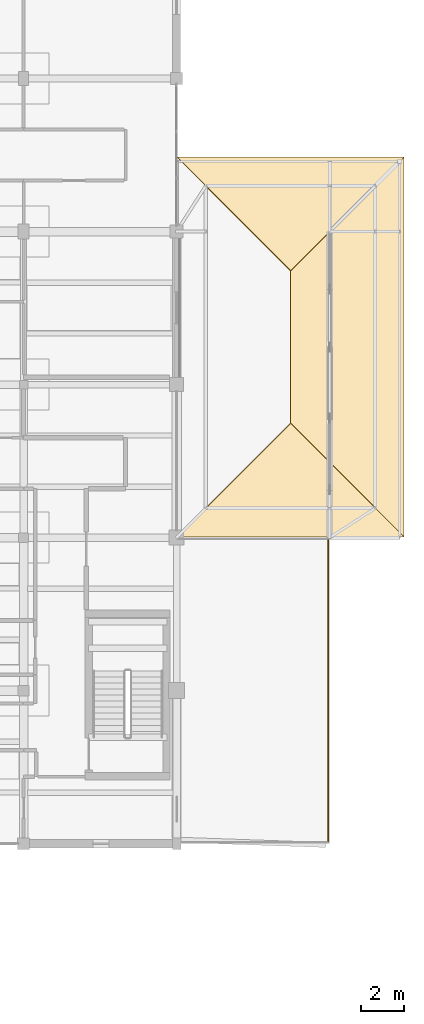
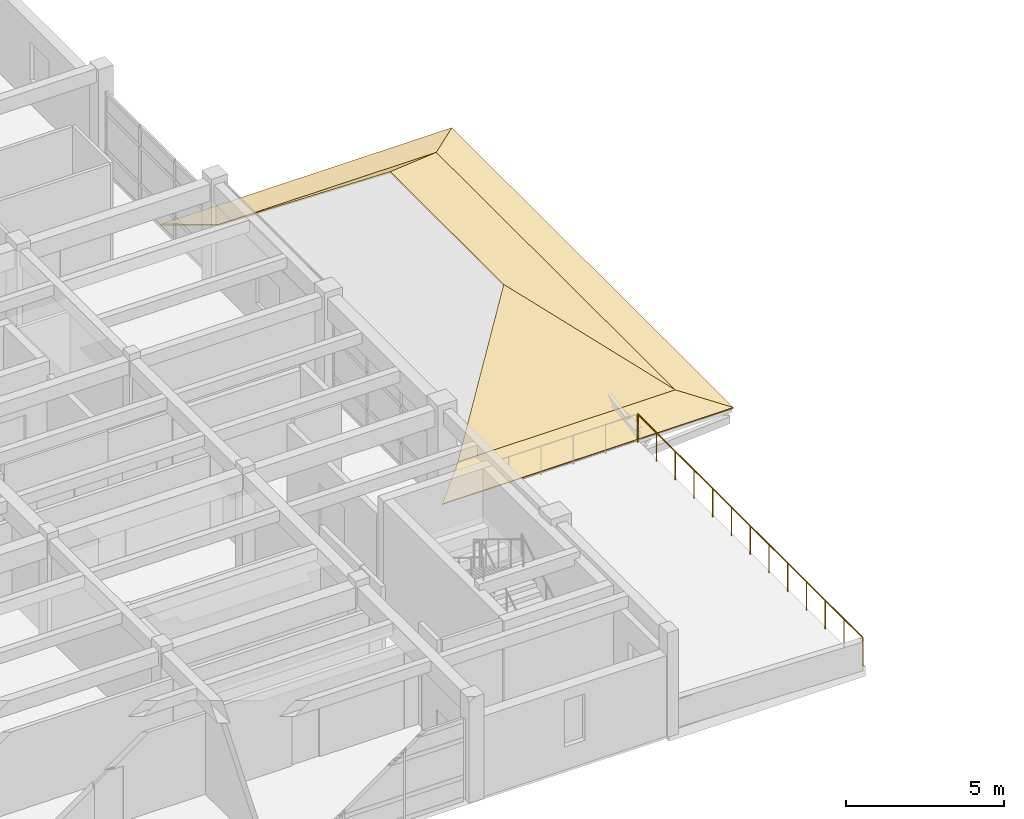
# One storey, part 55 of 55: 6 coverings, 1 railing.
"""IFC4 building model written with IfcOpenShell, lengths in metres."""

from ifc_helpers import new_model, si_unit, direction, frame, origin, origin_2d, place, context, subcontext, project, spatial, polyline, circle, outline, extrude, material, layer, layer_set, type_object, element, save


model = new_model("IFC4")

# Units and contexts
model_context = context("Model", 3, precision=1e-05, world=origin(), true_north=direction((0.0, 1.0)))
body_context = subcontext(model_context, "Body", "Model", "MODEL_VIEW")
ifc_project = project(units=[si_unit("LENGTHUNIT", "METRE"), si_unit("AREAUNIT", "SQUARE_METRE"), si_unit("VOLUMEUNIT", "CUBIC_METRE"), si_unit("PLANEANGLEUNIT", "RADIAN"), si_unit("MASSUNIT", "GRAM", prefix="KILO")], contexts=[model_context])

# Site, building, storey
site_placement = place(None, origin())
site = spatial("IfcSite", under=ifc_project, at=site_placement, CompositionType="ELEMENT")
building_placement = place(site_placement, origin())
building = spatial("IfcBuilding", under=site, at=building_placement, Name="Steenspoor Specialist Clinic", CompositionType="ELEMENT")
storey_placement = place(building_placement, frame((0.0, 0.0, 13.199951171875)))
storey = spatial("IfcBuildingStorey", under=building, at=storey_placement, Name="L03", CompositionType="ELEMENT", Elevation=13.199951171875)

# Coverings
ifc_material_1 = material(Name="Extruded terracotta clay roof tile", Category="masonry")
ifc_layer = layer(ifc_material_1, 0.044921875)
ifc_layer_set = layer_set([ifc_layer], Name="Extruded terracotta clay roof tile")
covering_type = type_object("IfcCoveringType", Name="COV-ROOF-TILE", PredefinedType="ROOFING", material=ifc_layer_set)
covering_1_placement = place(storey_placement, frame((146.830078125, 79.580078125, 0.048095703125), z_axis=(0.0, -0.241998799207, 0.970276548816), x_axis=(1.0, 0.0, 0.0)))
element("IfcCovering", 1, at=covering_1_placement, inside=storey, type_object=covering_type, Name="Clay Tile Roofing V6T2 SKS", PredefinedType="ROOFING", context=body_context, shape_type="SweptSolid", body=[
    extrude(outline(polyline([(0.0, 0.0), (10.669921875, 0.0), (9.31982421875, 1.3912049273706915), (1.349853515625, 1.3912049273706915), (0.0, 0.0)])), origin(), (0.0, 0.0, -1.0), 0.044921875),
])
covering_2_placement = place(storey_placement, frame((157.5, 97.449951171875, 0.048095703125), z_axis=(0.0, 0.241998799207, 0.970276548816), x_axis=(-1.0, 0.0, 0.0)))
element("IfcCovering", 2, at=covering_2_placement, inside=storey, type_object=covering_type, Name="Clay Tile Roofing V6T2 SKN", PredefinedType="ROOFING", context=body_context, shape_type="SweptSolid", body=[
    extrude(outline(polyline([(0.0, 0.0), (10.669921875, 0.0), (9.320068359375, 1.3912049273706915), (1.35009765625, 1.3912049273706915), (0.0, 0.0)])), origin(), (0.0, 0.0, -1.0), 0.044921875),
])
covering_3_placement = place(storey_placement, frame((157.5, 79.580078125, 0.048095703125), z_axis=(0.241957600267, 0.0, 0.970286823405), x_axis=(0.0, 1.0, 0.0)))
element("IfcCovering", 3, at=covering_3_placement, inside=storey, type_object=covering_type, Name="Clay Tile Roofing V6T2 SKE", PredefinedType="ROOFING", context=body_context, shape_type="SweptSolid", body=[
    extrude(outline(polyline([(0.0, 0.0), (17.869873046875, 0.0), (16.52001953125, 1.3914418125480712), (1.349853515625, 1.3914418125480712), (0.0, 0.0)])), origin(), (0.0, 0.0, -1.0), 0.044921875),
])
covering_4_placement = place(storey_placement, frame((156.14990234375, 80.929931640625, 0.384765625), z_axis=(0.609454859171, 0.0, 0.792820770813), x_axis=(0.0, 1.0, 0.0)))
element("IfcCovering", 4, at=covering_4_placement, inside=storey, type_object=covering_type, Name="Clay Tile Roofing V6T2 E", PredefinedType="ROOFING", context=body_context, shape_type="SweptSolid", body=[
    extrude(outline(polyline([(0.0, 0.0), (15.170166015625, 0.0), (11.18505859375, 5.026184262507762), (3.985107421875, 5.026184262507762), (0.0, 0.0)])), origin(), (0.0, 0.0, -1.0), 0.044921875),
])
covering_5_placement = place(storey_placement, frame((148.179931640625, 80.929931640625, 0.384765625), z_axis=(0.0, -0.609431389531, 0.792838811773), x_axis=(1.0, 0.0, 0.0)))
element("IfcCovering", 5, at=covering_5_placement, inside=storey, type_object=covering_type, Name="Clay Tile Roofing V6T2 S", PredefinedType="ROOFING", context=body_context, shape_type="SweptSolid", body=[
    extrude(outline(polyline([(0.0, 0.0), (7.969970703125, 0.0), (3.985107421875, 5.026377824468569), (0.0, 0.0)])), origin(), (0.0, 0.0, -1.0), 0.044921875),
])
covering_6_placement = place(storey_placement, frame((156.14990234375, 96.10009765625, 0.384765625), z_axis=(0.0, 0.609431389531, 0.792838811773), x_axis=(-1.0, 0.0, 0.0)))
element("IfcCovering", 6, at=covering_6_placement, inside=storey, type_object=covering_type, Name="Clay Tile Roofing V6T2 N", PredefinedType="ROOFING", context=body_context, shape_type="SweptSolid", body=[
    extrude(outline(polyline([(0.0, 0.0), (7.969970703125, 0.0), (3.98486328125, 5.026377824468569), (0.0, 0.0)])), origin(), (0.0, 0.0, -1.0), 0.044921875),
])

# Railing
ifc_material_2 = material(Name="Galvanised architectural steel exterior guard", Category="steel")
railing_type = type_object("IfcRailingType", Name="RAIL-EGUARD-1100", PredefinedType="GUARDRAIL", material=ifc_material_2)
railing_placement = place(storey_placement, frame((153.93994140625, 65.2099609375, 0.0)))
element("IfcRailing", 7, at=railing_placement, inside=storey, type_object=railing_type, Name="Terrace Perimeter Guard 26", PredefinedType="GUARDRAIL", context=body_context, shape_type="SweptSolid", body=[
    extrude(circle(Radius=0.02392578125, at=origin_2d()), frame((0.0, 0.0, 1.09619140625), z_axis=(0.0, 1.0, 0.0), x_axis=(-1.0, 0.0, 0.0)), (0.0, 0.0, 1.0), 14.280029296875),
    extrude(circle(Radius=0.02099609375, at=origin_2d()), origin(), (0.0, 0.0, 1.0), 1.072021484375),
    extrude(circle(Radius=0.02099609375, at=origin_2d()), frame((0.0, 1.18994140625, 0.0)), (0.0, 0.0, 1.0), 1.072021484375),
    extrude(circle(Radius=0.02099609375, at=origin_2d()), frame((0.0, 2.3798828125, 0.0)), (0.0, 0.0, 1.0), 1.072021484375),
    extrude(circle(Radius=0.02099609375, at=origin_2d()), frame((0.0, 3.570068359375, 0.0)), (0.0, 0.0, 1.0), 1.072021484375),
    extrude(circle(Radius=0.02099609375, at=origin_2d()), frame((0.0, 4.760009765625, 0.0)), (0.0, 0.0, 1.0), 1.072021484375),
    extrude(circle(Radius=0.02099609375, at=origin_2d()), frame((0.0, 5.949951171875, 0.0)), (0.0, 0.0, 1.0), 1.072021484375),
    extrude(circle(Radius=0.02099609375, at=origin_2d()), frame((0.0, 7.14013671875, 0.0)), (0.0, 0.0, 1.0), 1.072021484375),
    extrude(circle(Radius=0.02099609375, at=origin_2d()), frame((0.0, 8.330078125, 0.0)), (0.0, 0.0, 1.0), 1.072021484375),
    extrude(circle(Radius=0.02099609375, at=origin_2d()), frame((0.0, 9.52001953125, 0.0)), (0.0, 0.0, 1.0), 1.072021484375),
    extrude(circle(Radius=0.02099609375, at=origin_2d()), frame((0.0, 10.7099609375, 0.0)), (0.0, 0.0, 1.0), 1.072021484375),
    extrude(circle(Radius=0.02099609375, at=origin_2d()), frame((0.0, 11.89990234375, 0.0)), (0.0, 0.0, 1.0), 1.072021484375),
    extrude(circle(Radius=0.02099609375, at=origin_2d()), frame((0.0, 13.090087890625, 0.0)), (0.0, 0.0, 1.0), 1.072021484375),
    extrude(circle(Radius=0.02099609375, at=origin_2d()), frame((0.0, 14.280029296875, 0.0)), (0.0, 0.0, 1.0), 1.072021484375),
])

save(model, "model.ifc")
